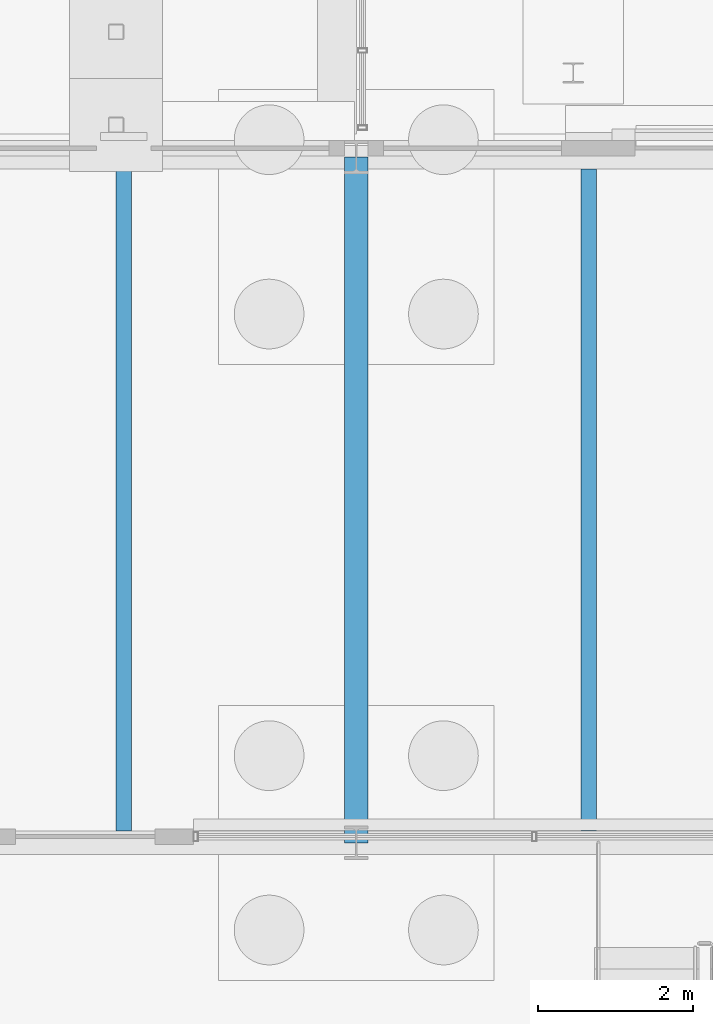
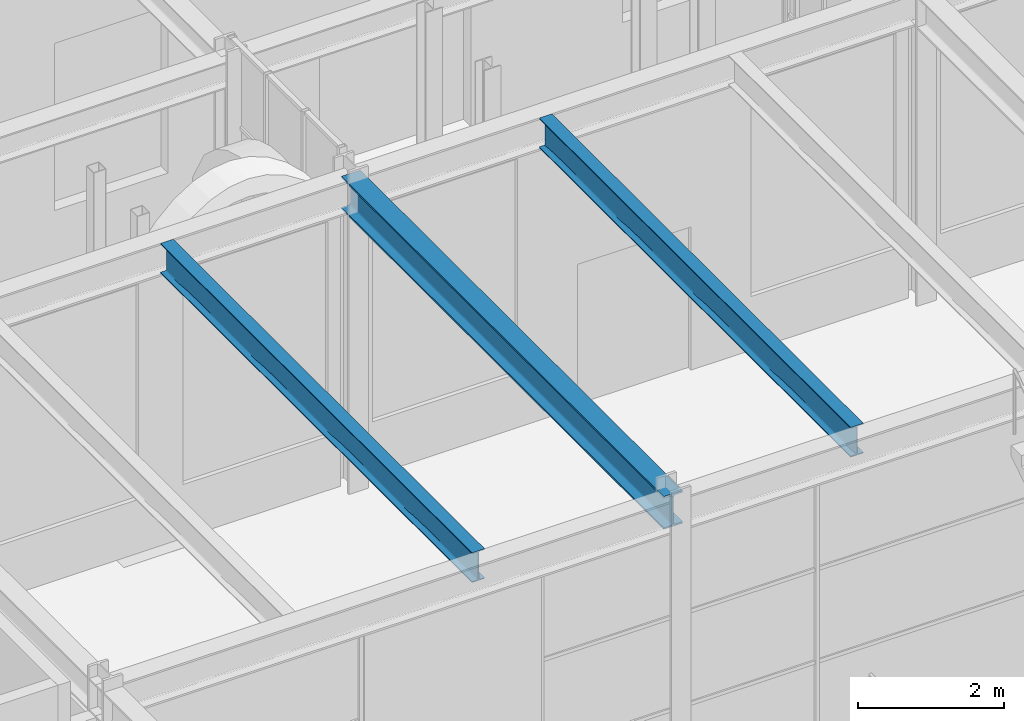
# One storey, part 45 of 126: 3 beams.
"""IFC4 building model written with IfcOpenShell, lengths in metres."""

from ifc_helpers import new_model, si_unit, direction, frame, origin, origin_2d, place, context, subcontext, project, spatial, i_section, extrude, material, material_profile, profile_set, type_object, element, save


model = new_model("IFC4")

# Units and contexts
model_context = context("Model", 3, precision=1e-05, world=origin(), true_north=direction((0.0, 1.0)))
body_context = subcontext(model_context, "Body", "Model", "MODEL_VIEW")
ifc_project = project(units=[si_unit("LENGTHUNIT", "METRE"), si_unit("AREAUNIT", "SQUARE_METRE"), si_unit("VOLUMEUNIT", "CUBIC_METRE"), si_unit("PLANEANGLEUNIT", "RADIAN"), si_unit("MASSUNIT", "GRAM", prefix="KILO")], contexts=[model_context])

# Site, building, storey
site_placement = place(None, origin())
site = spatial("IfcSite", under=ifc_project, at=site_placement, CompositionType="ELEMENT")
building_placement = place(site_placement, origin())
building = spatial("IfcBuilding", under=site, at=building_placement, Name="Kallimachos Central Library", CompositionType="ELEMENT")
storey_placement = place(building_placement, origin())
storey = spatial("IfcBuildingStorey", under=building, at=storey_placement, Name="L00", CompositionType="ELEMENT", Elevation=0.0)

# Beams
ifc_material_1 = material(Name="Steel S355J2", Category="steel")
ifc_material_profile_1 = material_profile(ifc_material_1, i_section(OverallWidth=0.300048828125, OverallDepth=0.550048828125, WebThickness=0.014892578125, FlangeThickness=0.029052734375, FilletRadius=0.027099609375, at=origin_2d()), Name="HEB 550")
ifc_profile_set_1 = profile_set([ifc_material_profile_1], Name="Steel S355J2")
beam_type_1 = type_object("IfcBeamType", Name="HEB 550 beam", PredefinedType="BEAM", material=ifc_profile_set_1)
beam_placement = place(storey_placement, frame((83.5, 75.0, 4.925048828125), z_axis=(0.0, 1.0, 0.0), x_axis=(-1.0, 0.0, 0.0)))
element("IfcBeam", 1, at=beam_placement, inside=storey, type_object=beam_type_1, Name="V4-BEM-L00-011", PredefinedType="BEAM", context=body_context, shape_type="SweptSolid", body=[
    extrude(i_section(OverallWidth=0.300048828125, OverallDepth=0.550048828125, WebThickness=0.014892578125, FlangeThickness=0.029052734375, FilletRadius=0.027099609375, at=origin_2d()), origin(), (0.0, 0.0, 1.0), 8.85009765625),
])
ifc_material_2 = material(Name="Steel S355J2", Category="steel")
ifc_material_profile_2 = material_profile(ifc_material_2, i_section(OverallWidth=0.199951171875, OverallDepth=0.5, WebThickness=0.01025390625, FlangeThickness=0.01611328125, FilletRadius=0.02099609375, at=origin_2d()), Name="IPE 500")
ifc_profile_set_2 = profile_set([ifc_material_profile_2], Name="Steel S355J2")
beam_type_2 = type_object("IfcBeamType", Name="IPE 500 beam", PredefinedType="BEAM", material=ifc_profile_set_2)
for number, where, z_axis, x_axis, name in (
    (2, (80.5, 75.14990234375, 4.949951171875), (0.0, 1.0, 0.0), (-1.0, 0.0, 0.0), "V4-BEM-L00-016"),
    (3, (86.5, 75.14990234375, 4.949951171875), (0.0, 1.0, 0.0), (-1.0, 0.0, 0.0), "V4-BEM-L00-017"),
):
    element("IfcBeam", number, at=place(storey_placement, frame(where, z_axis=z_axis, x_axis=x_axis)), inside=storey, type_object=beam_type_2, Name=name, PredefinedType="BEAM", context=body_context, shape_type="SweptSolid", body=[
        extrude(i_section(OverallWidth=0.199951171875, OverallDepth=0.5, WebThickness=0.01025390625, FlangeThickness=0.01611328125, FilletRadius=0.02099609375, at=origin_2d()), origin(), (0.0, 0.0, 1.0), 8.550048828125),
    ])

save(model, "model.ifc")
